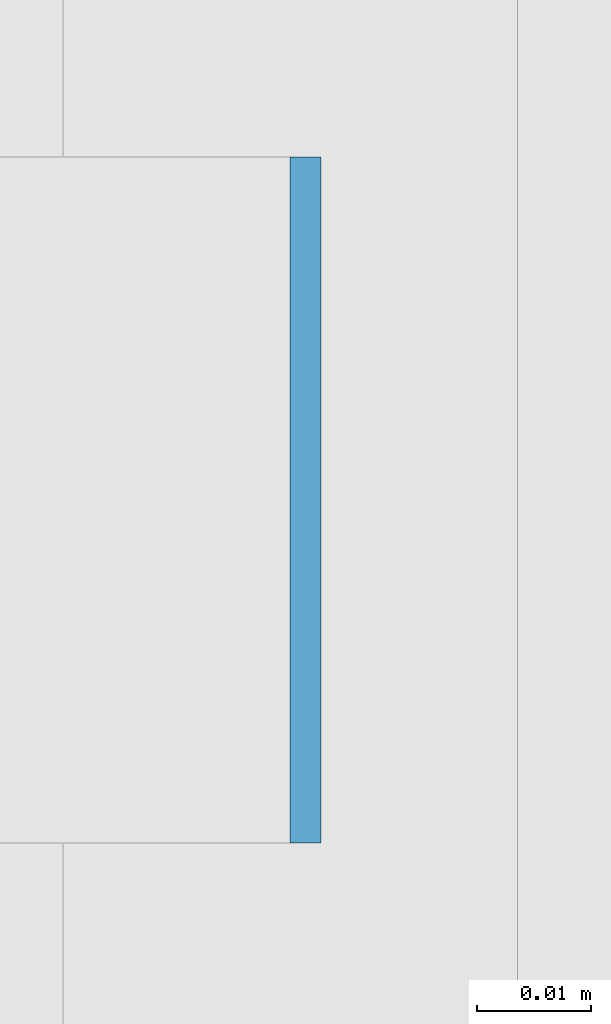
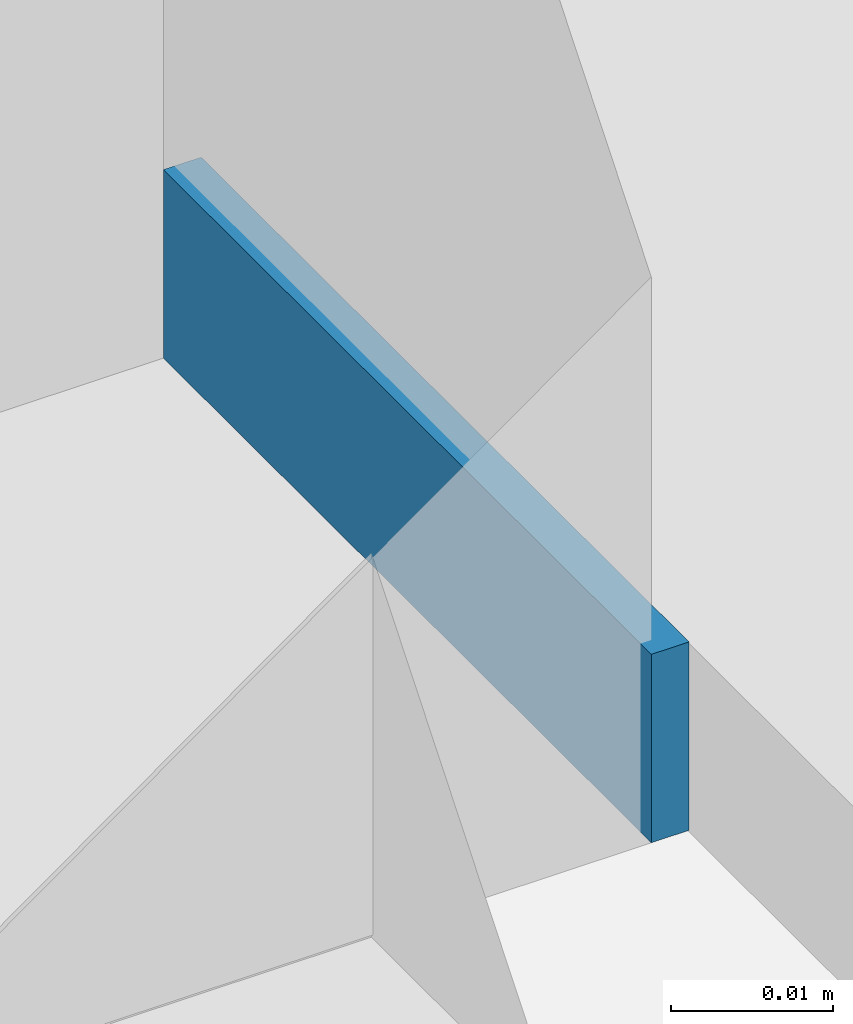
# One storey, part 242 of 646: 1 discrete accessory.
"""IFC4 building model written with IfcOpenShell, lengths in metres."""

import ifcopenshell
import ifcopenshell.guid

model = None  # the IFC model being written
_history = None  # IfcOwnerHistory: only IFC2X3 demands one
_inside = {}  # id of a spatial element -> (the spatial element, [elements in it])
_under = {}  # id of a project, library or spatial element -> (it, [spatial elements below it])
_declared = {}  # id of a project -> (the project, [libraries it declares])
_typed = {}  # id of a type object -> (the type object, [elements of that type])
_made_of = {}  # id of a material, layer set ... -> (it, [elements and type objects made of it])


def new_model(schema):
    """Start an empty IFC model of exactly this schema.

    Asked for "IFC4X3", IfcOpenShell would pick the latest addendum, in which some entities
    have other attributes; the version numbers below select the first issue.
    IFC2X3 requires an IfcOwnerHistory on every rooted entity: one is made here for all.
    """
    global model, _history
    if schema == "IFC4X3":
        model = ifcopenshell.file(schema_version=(4, 3, 0, 0))
    else:
        model = ifcopenshell.file(schema=schema)
    _inside.clear()
    _under.clear()
    _declared.clear()
    _typed.clear()
    _made_of.clear()
    _history = None
    if model.schema == "IFC2X3":
        org = make("IfcOrganization", Name="unknown")
        user = make(
            "IfcPersonAndOrganization",
            ThePerson=make("IfcPerson", FamilyName="unknown"),
            TheOrganization=org,
        )
        app = make(
            "IfcApplication",
            ApplicationDeveloper=org,
            Version="unknown",
            ApplicationFullName="unknown",
            ApplicationIdentifier="unknown",
        )
        _history = make(
            "IfcOwnerHistory",
            OwningUser=user,
            OwningApplication=app,
            ChangeAction="ADDED",
            CreationDate=0,
        )
    return model


def make(cls, **values):
    """One entity of the class cls with the attributes given. An attribute that is None is left unset."""
    return model.create_entity(
        cls, **{name: value for name, value in values.items() if value is not None}
    )


def rooted(cls, **values):
    """An entity with a GlobalId (a new one), such as an element, a storey or a relation."""
    return make(cls, GlobalId=ifcopenshell.guid.new(), OwnerHistory=_history, **values)


def si_unit(unit_type, name, prefix=None):
    """IfcSIUnit, for example si_unit("LENGTHUNIT", "METRE", prefix="MILLI")."""
    return make("IfcSIUnit", UnitType=unit_type, Prefix=prefix, Name=name)


def assignment(units):
    """IfcUnitAssignment: the units of a project."""
    return None if units is None else make("IfcUnitAssignment", Units=units)


def point(xyz):
    """IfcCartesianPoint."""
    return None if xyz is None else make("IfcCartesianPoint", Coordinates=xyz)


def direction(xyz):
    """IfcDirection."""
    return None if xyz is None else make("IfcDirection", DirectionRatios=xyz)


def frame(location, z_axis=None, x_axis=None):
    """IfcAxis2Placement3D, a coordinate frame: its origin and axes. An axis left out is left unset."""
    return make(
        "IfcAxis2Placement3D",
        Location=point(location),
        Axis=direction(z_axis),
        RefDirection=direction(x_axis),
    )


def frame_2d(location, x_axis=None):
    """IfcAxis2Placement2D, a coordinate frame in the plane: its origin and x axis."""
    return make(
        "IfcAxis2Placement2D", Location=point(location), RefDirection=direction(x_axis)
    )


def origin():
    """The frame at (0, 0, 0) with its axes left unset."""
    return frame((0.0, 0.0, 0.0))


def origin_2d():
    """The frame at (0, 0) in the plane with its x axis left unset."""
    return frame_2d((0.0, 0.0))


def place(relative_to, where):
    """IfcLocalPlacement: puts the frame where relative to a parent placement (None: the world)."""
    return make(
        "IfcLocalPlacement", PlacementRelTo=relative_to, RelativePlacement=where
    )


def context(
    kind, dimensions, precision=None, world=None, true_north=None, identifier=None
):
    """IfcGeometricRepresentationContext, for example the 3D "Model" context."""
    return make(
        "IfcGeometricRepresentationContext",
        ContextIdentifier=identifier,
        ContextType=kind,
        CoordinateSpaceDimension=dimensions,
        Precision=precision,
        WorldCoordinateSystem=world,
        TrueNorth=true_north,
    )


def subcontext(parent, identifier, kind, view, scale=None):
    """IfcGeometricRepresentationSubContext, for example "Body" below "Model"."""
    return make(
        "IfcGeometricRepresentationSubContext",
        ContextIdentifier=identifier,
        ContextType=kind,
        ParentContext=parent,
        TargetScale=scale,
        TargetView=view,
    )


def project(units=None, contexts=None):
    """IfcProject with its units and contexts."""
    return rooted(
        "IfcProject",
        Name="project",
        RepresentationContexts=contexts,
        UnitsInContext=assignment(units),
    )


def spatial(cls, under=None, at=None, **own):
    """A site, building, storey or space (cls), placed at a placement, below another one or the project."""
    s = rooted(cls, ObjectPlacement=at, **own)
    if under is not None:
        _under.setdefault(under.id(), (under, []))[1].append(s)
    return s


def profile(cls, at=None, kind="AREA", **sizes):
    """A parametric profile (cls). Its sizes go by their IFC names, for example OverallWidth=200.0."""
    return make(cls, ProfileType=kind, Position=at, **sizes)


def rectangle(**sizes):
    """IfcRectangleProfileDef."""
    return profile("IfcRectangleProfileDef", **sizes)


def extrude(swept, where, along, depth):
    """IfcExtrudedAreaSolid: the profile swept, set in the frame where, extruded along a direction by depth."""
    return make(
        "IfcExtrudedAreaSolid",
        SweptArea=swept,
        Position=where,
        ExtrudedDirection=direction(along),
        Depth=depth,
    )


def shape(context_of_items, identifier, shape_type, items):
    """IfcShapeRepresentation: the items that make up one representation, for example the "Body"."""
    return make(
        "IfcShapeRepresentation",
        ContextOfItems=context_of_items,
        RepresentationIdentifier=identifier,
        RepresentationType=shape_type,
        Items=items,
    )


def material(Name=None, Category=None):
    """IfcMaterial."""
    return make("IfcMaterial", Name=Name, Category=Category)


def made_of(thing, what):
    """Note that an element or type object is made of a material, layer set ...; save() writes the relation."""
    if what is not None:
        _made_of.setdefault(what.id(), (what, []))[1].append(thing)
    return thing


def type_object(cls, material=None, **own):
    """A type object (cls), such as IfcWallType, which elements share."""
    return made_of(rooted(cls, **own), material)


def element(
    cls,
    number,
    at=None,
    inside=None,
    cuts=None,
    type_object=None,
    material=None,
    context=None,
    identifier="Body",
    shape_type=None,
    held_by="IfcProductDefinitionShape",
    body=None,
    shapes=None,
    **own,
):
    """One element of the class cls, such as IfcWall. Its Tag is "e" and its number.

    at: its placement. inside: the storey or other place that contains it. cuts: it is an
    opening in that element (IfcRelVoidsElement). A single representation is given by context,
    identifier, shape_type and body (its items); several are given by shapes. held_by: the class
    of the entity that holds the representations. save() writes the other relations.
    """
    e = rooted(cls, Tag="e%d" % number, ObjectPlacement=at, **own)
    if body is not None:
        shapes = [shape(context, identifier, shape_type, body)]
    if shapes is not None:
        e.Representation = make(held_by, Representations=shapes)
    if inside is not None:
        _inside.setdefault(inside.id(), (inside, []))[1].append(e)
    if cuts is not None:
        rooted(
            "IfcRelVoidsElement", RelatingBuildingElement=cuts, RelatedOpeningElement=e
        )
    if type_object is not None:
        _typed.setdefault(type_object.id(), (type_object, []))[1].append(e)
    return made_of(e, material)


def aggregate(whole, parts):
    """IfcRelAggregates: a whole, such as a stair, and the parts it consists of."""
    return rooted("IfcRelAggregates", RelatingObject=whole, RelatedObjects=parts)


def save(model, path):
    """Write the relations noted so far, then the file.

    IfcRelAggregates (storeys below a building ...), IfcRelContainedInSpatialStructure (elements
    in a storey), IfcRelDefinesByType, IfcRelAssociatesMaterial and IfcRelDeclares: one each for
    every whole, place, type object, material and project.
    """
    for whole, parts in _under.values():
        aggregate(whole, parts)
    for where, things in _inside.values():
        rooted(
            "IfcRelContainedInSpatialStructure",
            RelatedElements=things,
            RelatingStructure=where,
        )
    for kind, things in _typed.values():
        rooted("IfcRelDefinesByType", RelatedObjects=things, RelatingType=kind)
    for what, things in _made_of.values():
        rooted("IfcRelAssociatesMaterial", RelatedObjects=things, RelatingMaterial=what)
    for by, libraries in _declared.values():
        rooted("IfcRelDeclares", RelatingContext=by, RelatedDefinitions=libraries)
    model.write(path)


model = new_model("IFC4")

# Units and contexts
model_context = context("Model", 3, precision=1e-05, world=origin(), true_north=direction((0.0, 1.0)))
body_context = subcontext(model_context, "Body", "Model", "MODEL_VIEW")
ifc_project = project(units=[si_unit("LENGTHUNIT", "METRE"), si_unit("AREAUNIT", "SQUARE_METRE"), si_unit("VOLUMEUNIT", "CUBIC_METRE"), si_unit("PLANEANGLEUNIT", "RADIAN"), si_unit("MASSUNIT", "GRAM", prefix="KILO")], contexts=[model_context])

# Site, building, storey
site_placement = place(None, origin())
site = spatial("IfcSite", under=ifc_project, at=site_placement, CompositionType="ELEMENT")
building_placement = place(site_placement, origin())
building = spatial("IfcBuilding", under=site, at=building_placement, Name="Silverbay Arena", CompositionType="ELEMENT")
storey_placement = place(building_placement, frame((0.0, 0.0, 33.5)))
storey = spatial("IfcBuildingStorey", under=building, at=storey_placement, Name="L05", CompositionType="ELEMENT", Elevation=33.5)

# Discrete accessory
ifc_material = material(Name="Steel S355", Category="steel")
discrete_accessory_type = type_object("IfcDiscreteAccessoryType", Name="Steel bracket plate", PredefinedType="BRACKET", material=ifc_material)
discrete_accessory_placement = place(storey_placement, frame((53.871337890625, 28.833251953125, 4.0), z_axis=(0.0, 0.0, 1.0), x_axis=(1.0, 0.0, 0.0)))
element("IfcDiscreteAccessory", 1, at=discrete_accessory_placement, inside=storey, type_object=discrete_accessory_type, Name="Curtain wall packing plate", PredefinedType="BRACKET", context=body_context, shape_type="SweptSolid", body=[
    extrude(rectangle(XDim=0.002685546875, YDim=0.06005859375, at=origin_2d()), origin(), (0.0, 0.0, 1.0), 0.01416015625),
])

save(model, "model.ifc")
